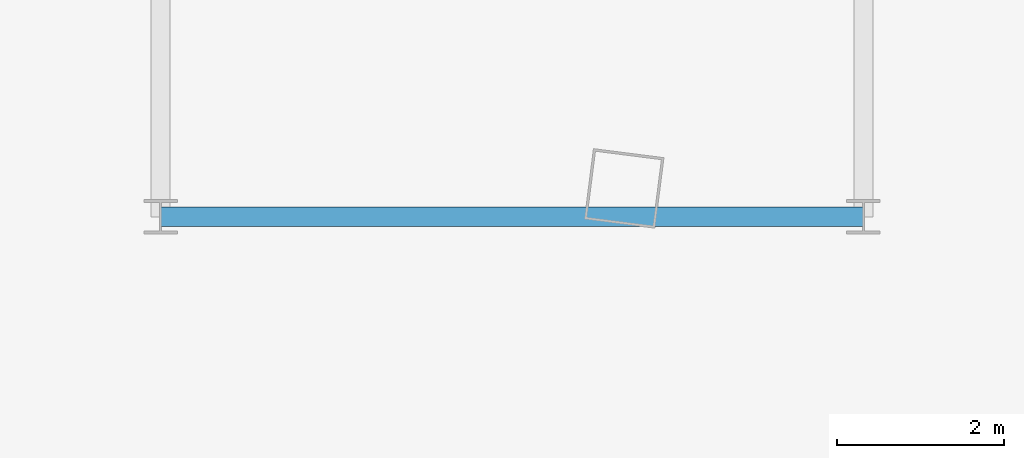
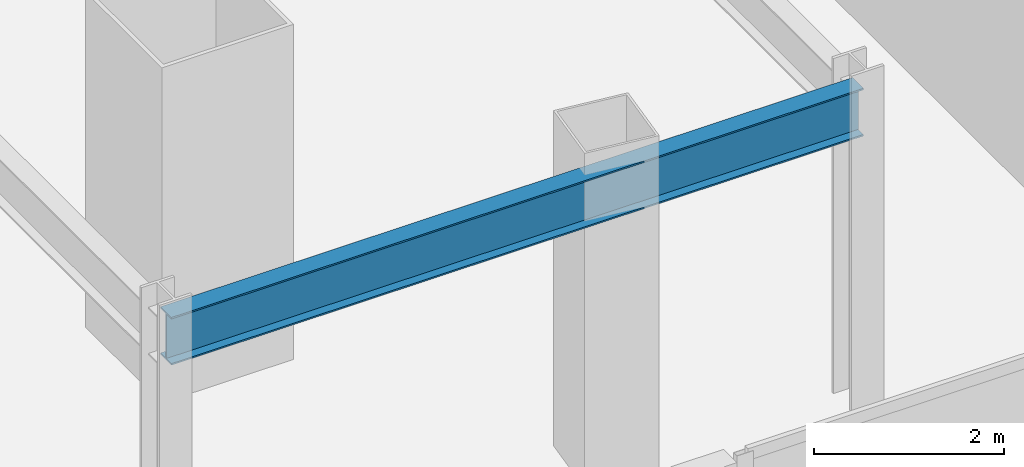
# One storey, part 6 of 42: 1 beam.
"""IFC4 building model written with IfcOpenShell, lengths in metres."""

from ifc_helpers import new_model, si_unit, direction, frame, origin, origin_2d, place, context, subcontext, project, spatial, i_section, extrude, material, material_profile, profile_set, type_object, element, save


model = new_model("IFC4")

# Units and contexts
model_context = context("Model", 3, precision=1e-05, world=origin(), true_north=direction((0.0, 1.0)))
body_context = subcontext(model_context, "Body", "Model", "MODEL_VIEW")
ifc_project = project(units=[si_unit("LENGTHUNIT", "METRE"), si_unit("AREAUNIT", "SQUARE_METRE"), si_unit("VOLUMEUNIT", "CUBIC_METRE"), si_unit("PLANEANGLEUNIT", "RADIAN"), si_unit("MASSUNIT", "GRAM", prefix="KILO")], contexts=[model_context])

# Site, building, storey
site_placement = place(None, origin())
site = spatial("IfcSite", under=ifc_project, at=site_placement, CompositionType="ELEMENT")
building_placement = place(site_placement, origin())
building = spatial("IfcBuilding", under=site, at=building_placement, Name="Orvanel Arch Residences", CompositionType="ELEMENT")
storey_placement = place(building_placement, frame((0.0, 0.0, 9.800048828125)))
storey = spatial("IfcBuildingStorey", under=building, at=storey_placement, Name="L02", CompositionType="ELEMENT", Elevation=9.800048828125)

# Beam
ifc_material = material(Name="Structural steel AS/NZS 3679.1 Grade 300 (300 MPa)", Category="steel")
ifc_material_profile = material_profile(ifc_material, i_section(OverallWidth=0.22900390625, OverallDepth=0.612060546875, WebThickness=0.011962890625, FlangeThickness=0.01953125, at=origin_2d()), Name="610UB125")
ifc_profile_set = profile_set([ifc_material_profile], Name="Structural steel AS/NZS 3679.1 Grade 300 (300 MPa)")
beam_type = type_object("IfcBeamType", Name="BG-610UB", PredefinedType="BEAM", material=ifc_profile_set)
beam_placement = place(storey_placement, frame((11.39990234375, 6.0, 3.7138671875), z_axis=(1.0, 0.0, 0.0), x_axis=(0.0, 1.0, 0.0)))
element("IfcBeam", 1, at=beam_placement, inside=storey, type_object=beam_type, Name="L02 BG-610UB beam", PredefinedType="BEAM", context=body_context, shape_type="SweptSolid", body=[
    extrude(i_section(OverallWidth=0.22900390625, OverallDepth=0.612060546875, WebThickness=0.011962890625, FlangeThickness=0.01953125, at=origin_2d()), origin(), (0.0, 0.0, 1.0), 8.400146484375),
])

save(model, "model.ifc")
